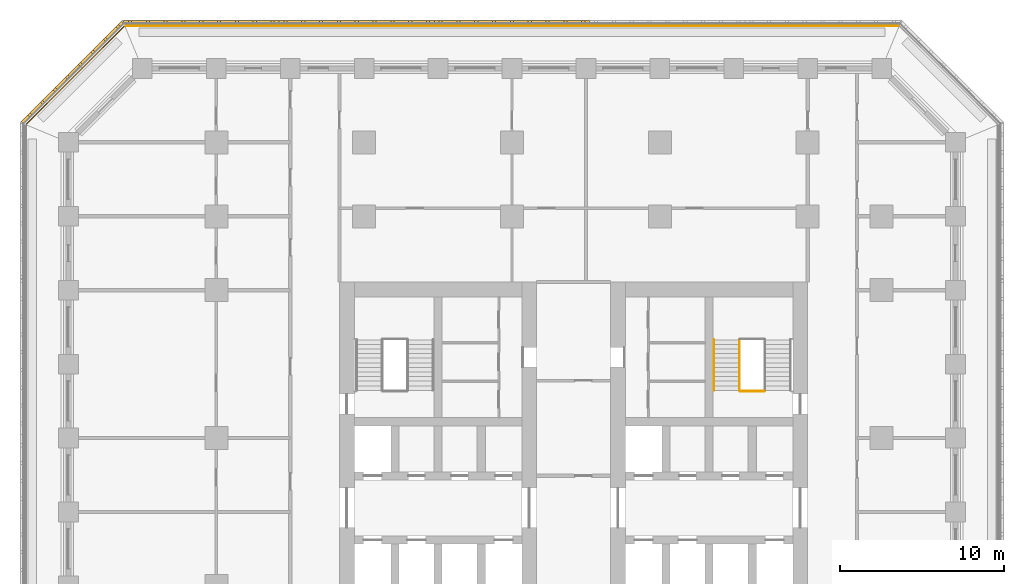
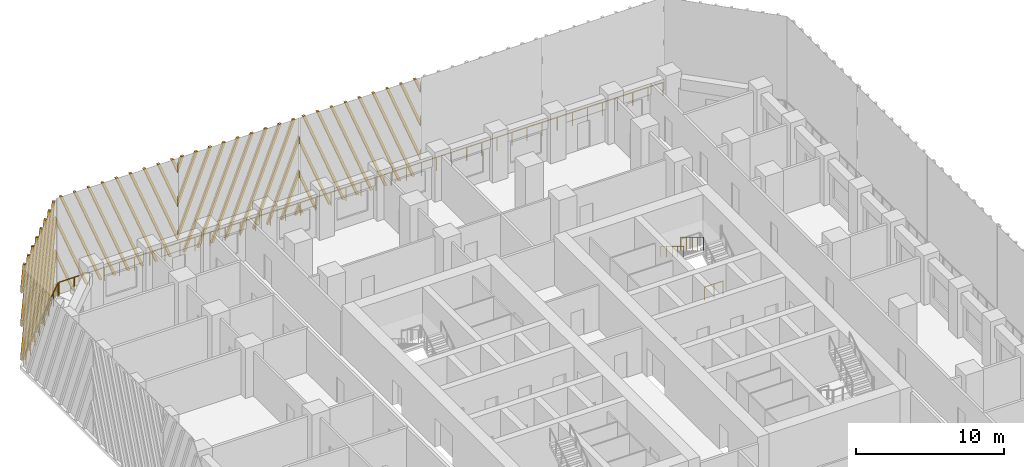
# One storey, part 16 of 19: 5 railings, 4 shading devices.
"""IFC4 building model written with IfcOpenShell, lengths in metres."""

from ifc_helpers import new_model, si_unit, direction, frame, origin, origin_2d, place, context, subcontext, project, spatial, polyline, circle, outline, extrude, source, transform, mapped, material, type_object, element, save


model = new_model("IFC4")

# Units and contexts
model_context = context("Model", 3, precision=1e-05, world=origin(), true_north=direction((0.0, 1.0)))
body_context = subcontext(model_context, "Body", "Model", "MODEL_VIEW")
ifc_project = project(units=[si_unit("LENGTHUNIT", "METRE"), si_unit("AREAUNIT", "SQUARE_METRE"), si_unit("VOLUMEUNIT", "CUBIC_METRE"), si_unit("PLANEANGLEUNIT", "RADIAN"), si_unit("MASSUNIT", "GRAM", prefix="KILO")], contexts=[model_context])

# Site, building, storey
site_placement = place(None, origin())
site = spatial("IfcSite", under=ifc_project, at=site_placement, CompositionType="ELEMENT")
building_placement = place(site_placement, origin())
building = spatial("IfcBuilding", under=site, at=building_placement, Name="Corbel Stack Research Tower", CompositionType="ELEMENT")
storey_placement = place(building_placement, frame((0.0, 0.0, 133.10009765625)))
storey = spatial("IfcBuildingStorey", under=building, at=storey_placement, Name="L30", CompositionType="ELEMENT", Elevation=133.10009765625)

# Railings
ifc_material_1 = material(Name="Steel S355", Category="steel")
railing_type_1 = type_object("IfcRailingType", Name="Stair guard 1100", PredefinedType="GUARDRAIL", material=ifc_material_1)
railing_1_placement = place(storey_placement, frame((13.85009765625, 14.97998046875, 2.220703125)))
element("IfcRailing", 1, at=railing_1_placement, inside=storey, type_object=railing_type_1, Name="L30 ST-E2 stair guard 4", PredefinedType="GUARDRAIL", context=body_context, shape_type="SweptSolid", body=[
    extrude(circle(Radius=0.02392578125, at=origin_2d()), frame((0.0, 0.0, 1.076171875), z_axis=(0.0, -0.853666305674, 0.52082035152), x_axis=(1.0, 0.0, 0.0)), (0.0, 0.0, 1.0), 3.608154296875),
    extrude(circle(Radius=0.02099609375, at=origin_2d()), origin(), (0.0, 0.0, 1.0), 1.052001953125),
    extrude(circle(Radius=0.02099609375, at=origin_2d()), frame((0.0, -0.77001953125, 0.4697265625)), (0.0, 0.0, 1.0), 1.052001953125),
    extrude(circle(Radius=0.02099609375, at=origin_2d()), frame((0.0, -1.5400390625, 0.939453125)), (0.0, 0.0, 1.0), 1.052001953125),
    extrude(circle(Radius=0.02099609375, at=origin_2d()), frame((0.0, -2.31005859375, 1.409423828125)), (0.0, 0.0, 1.0), 1.052001953125),
    extrude(circle(Radius=0.02099609375, at=origin_2d()), frame((0.0, -3.080078125, 1.879150390625)), (0.0, 0.0, 1.0), 1.052001953125),
])
railing_2_placement = place(storey_placement, frame((15.35009765625, 11.85009765625, 0.0)))
element("IfcRailing", 2, at=railing_2_placement, inside=storey, type_object=railing_type_1, Name="L30 ST-E2 stair guard 5", PredefinedType="GUARDRAIL", context=body_context, shape_type="SweptSolid", body=[
    extrude(circle(Radius=0.02392578125, at=origin_2d()), frame((0.0, 0.0, 1.076171875), z_axis=(-1.0, 0.0, 0.0), x_axis=(0.0, -1.0, 0.0)), (0.0, 0.0, 1.0), 1.4501953125),
    extrude(circle(Radius=0.02099609375, at=origin_2d()), origin(), (0.0, 0.0, 1.0), 1.052001953125),
    extrude(circle(Radius=0.02099609375, at=origin_2d()), frame((-0.72509765625, 0.0, 0.0)), (0.0, 0.0, 1.0), 1.052001953125),
    extrude(circle(Radius=0.02099609375, at=origin_2d()), frame((-1.4501953125, 0.0, 0.0)), (0.0, 0.0, 1.0), 1.052001953125),
])
ifc_material_2 = material(Name="Steel S355", Category="steel")
railing_type_2 = type_object("IfcRailingType", Name="Stair handrail 900", PredefinedType="HANDRAIL", material=ifc_material_2)
railing_3_placement = place(storey_placement, frame((12.300048828125, 14.97998046875, 2.220703125)))
element("IfcRailing", 3, at=railing_3_placement, inside=storey, type_object=railing_type_2, Name="L30 ST-E2 stair handrail 2", PredefinedType="HANDRAIL", context=body_context, shape_type="SweptSolid", body=[
    extrude(circle(Radius=0.02392578125, at=origin_2d()), frame((0.0, 0.0, 0.8759765625), z_axis=(0.0, -0.853666305674, 0.52082035152), x_axis=(1.0, 0.0, 0.0)), (0.0, 0.0, 1.0), 3.608154296875),
    extrude(circle(Radius=0.02099609375, at=origin_2d()), origin(), (0.0, 0.0, 1.0), 0.851806640625),
    extrude(circle(Radius=0.02099609375, at=origin_2d()), frame((0.0, -0.77001953125, 0.4697265625)), (0.0, 0.0, 1.0), 0.851806640625),
    extrude(circle(Radius=0.02099609375, at=origin_2d()), frame((0.0, -1.5400390625, 0.939453125)), (0.0, 0.0, 1.0), 0.851806640625),
    extrude(circle(Radius=0.02099609375, at=origin_2d()), frame((0.0, -2.31005859375, 1.409423828125)), (0.0, 0.0, 1.0), 0.851806640625),
    extrude(circle(Radius=0.02099609375, at=origin_2d()), frame((0.0, -3.080078125, 1.879150390625)), (0.0, 0.0, 1.0), 0.851806640625),
])
ifc_material_3 = material(Name="Powder-coated steel guard", Category="steel")
railing_type_3 = type_object("IfcRailingType", Name="Steel and glass guard 1100", PredefinedType="GUARDRAIL", material=ifc_material_3)
railing_4_placement = place(storey_placement, frame((23.50537109375, 34.10009765625, 0.0)))
element("IfcRailing", 4, at=railing_4_placement, inside=storey, type_object=railing_type_3, Name="Loggia guard L30 N", PredefinedType="GUARDRAIL", context=body_context, shape_type="SweptSolid", body=[
    extrude(circle(Radius=0.02392578125, at=origin_2d()), frame((0.0, 0.0, 1.076171875), z_axis=(-1.0, 0.0, 0.0), x_axis=(0.0, -1.0, 0.0)), (0.0, 0.0, 1.0), 47.0107421875),
    extrude(circle(Radius=0.02099609375, at=origin_2d()), origin(), (0.0, 0.0, 1.0), 1.052001953125),
    extrude(circle(Radius=0.02099609375, at=origin_2d()), frame((-1.17529296875, 0.0, 0.0)), (0.0, 0.0, 1.0), 1.052001953125),
    extrude(circle(Radius=0.02099609375, at=origin_2d()), frame((-2.3505859375, 0.0, 0.0)), (0.0, 0.0, 1.0), 1.052001953125),
    extrude(circle(Radius=0.02099609375, at=origin_2d()), frame((-3.52587890625, 0.0, 0.0)), (0.0, 0.0, 1.0), 1.052001953125),
    extrude(circle(Radius=0.02099609375, at=origin_2d()), frame((-4.701171875, 0.0, 0.0)), (0.0, 0.0, 1.0), 1.052001953125),
    extrude(circle(Radius=0.02099609375, at=origin_2d()), frame((-5.87646484375, 0.0, 0.0)), (0.0, 0.0, 1.0), 1.052001953125),
    extrude(circle(Radius=0.02099609375, at=origin_2d()), frame((-7.051513671875, 0.0, 0.0)), (0.0, 0.0, 1.0), 1.052001953125),
    extrude(circle(Radius=0.02099609375, at=origin_2d()), frame((-8.226806640625, 0.0, 0.0)), (0.0, 0.0, 1.0), 1.052001953125),
    extrude(circle(Radius=0.02099609375, at=origin_2d()), frame((-9.402099609375, 0.0, 0.0)), (0.0, 0.0, 1.0), 1.052001953125),
    extrude(circle(Radius=0.02099609375, at=origin_2d()), frame((-10.577392578125, 0.0, 0.0)), (0.0, 0.0, 1.0), 1.052001953125),
    extrude(circle(Radius=0.02099609375, at=origin_2d()), frame((-11.752685546875, 0.0, 0.0)), (0.0, 0.0, 1.0), 1.052001953125),
    extrude(circle(Radius=0.02099609375, at=origin_2d()), frame((-12.927978515625, 0.0, 0.0)), (0.0, 0.0, 1.0), 1.052001953125),
    extrude(circle(Radius=0.02099609375, at=origin_2d()), frame((-14.103271484375, 0.0, 0.0)), (0.0, 0.0, 1.0), 1.052001953125),
    extrude(circle(Radius=0.02099609375, at=origin_2d()), frame((-15.278564453125, 0.0, 0.0)), (0.0, 0.0, 1.0), 1.052001953125),
    extrude(circle(Radius=0.02099609375, at=origin_2d()), frame((-16.453857421875, 0.0, 0.0)), (0.0, 0.0, 1.0), 1.052001953125),
    extrude(circle(Radius=0.02099609375, at=origin_2d()), frame((-17.62890625, 0.0, 0.0)), (0.0, 0.0, 1.0), 1.052001953125),
    extrude(circle(Radius=0.02099609375, at=origin_2d()), frame((-18.80419921875, 0.0, 0.0)), (0.0, 0.0, 1.0), 1.052001953125),
    extrude(circle(Radius=0.02099609375, at=origin_2d()), frame((-19.9794921875, 0.0, 0.0)), (0.0, 0.0, 1.0), 1.052001953125),
    extrude(circle(Radius=0.02099609375, at=origin_2d()), frame((-21.15478515625, 0.0, 0.0)), (0.0, 0.0, 1.0), 1.052001953125),
    extrude(circle(Radius=0.02099609375, at=origin_2d()), frame((-22.330078125, 0.0, 0.0)), (0.0, 0.0, 1.0), 1.052001953125),
    extrude(circle(Radius=0.02099609375, at=origin_2d()), frame((-23.50537109375, 0.0, 0.0)), (0.0, 0.0, 1.0), 1.052001953125),
    extrude(circle(Radius=0.02099609375, at=origin_2d()), frame((-24.6806640625, 0.0, 0.0)), (0.0, 0.0, 1.0), 1.052001953125),
    extrude(circle(Radius=0.02099609375, at=origin_2d()), frame((-25.85595703125, 0.0, 0.0)), (0.0, 0.0, 1.0), 1.052001953125),
    extrude(circle(Radius=0.02099609375, at=origin_2d()), frame((-27.03125, 0.0, 0.0)), (0.0, 0.0, 1.0), 1.052001953125),
    extrude(circle(Radius=0.02099609375, at=origin_2d()), frame((-28.20654296875, 0.0, 0.0)), (0.0, 0.0, 1.0), 1.052001953125),
    extrude(circle(Radius=0.02099609375, at=origin_2d()), frame((-29.3818359375, 0.0, 0.0)), (0.0, 0.0, 1.0), 1.052001953125),
    extrude(circle(Radius=0.02099609375, at=origin_2d()), frame((-30.556884765625, 0.0, 0.0)), (0.0, 0.0, 1.0), 1.052001953125),
    extrude(circle(Radius=0.02099609375, at=origin_2d()), frame((-31.732177734375, 0.0, 0.0)), (0.0, 0.0, 1.0), 1.052001953125),
    extrude(circle(Radius=0.02099609375, at=origin_2d()), frame((-32.907470703125, 0.0, 0.0)), (0.0, 0.0, 1.0), 1.052001953125),
    extrude(circle(Radius=0.02099609375, at=origin_2d()), frame((-34.082763671875, 0.0, 0.0)), (0.0, 0.0, 1.0), 1.052001953125),
    extrude(circle(Radius=0.02099609375, at=origin_2d()), frame((-35.258056640625, 0.0, 0.0)), (0.0, 0.0, 1.0), 1.052001953125),
    extrude(circle(Radius=0.02099609375, at=origin_2d()), frame((-36.433349609375, 0.0, 0.0)), (0.0, 0.0, 1.0), 1.052001953125),
    extrude(circle(Radius=0.02099609375, at=origin_2d()), frame((-37.608642578125, 0.0, 0.0)), (0.0, 0.0, 1.0), 1.052001953125),
    extrude(circle(Radius=0.02099609375, at=origin_2d()), frame((-38.783935546875, 0.0, 0.0)), (0.0, 0.0, 1.0), 1.052001953125),
    extrude(circle(Radius=0.02099609375, at=origin_2d()), frame((-39.959228515625, 0.0, 0.0)), (0.0, 0.0, 1.0), 1.052001953125),
    extrude(circle(Radius=0.02099609375, at=origin_2d()), frame((-41.13427734375, 0.0, 0.0)), (0.0, 0.0, 1.0), 1.052001953125),
    extrude(circle(Radius=0.02099609375, at=origin_2d()), frame((-42.3095703125, 0.0, 0.0)), (0.0, 0.0, 1.0), 1.052001953125),
    extrude(circle(Radius=0.02099609375, at=origin_2d()), frame((-43.48486328125, 0.0, 0.0)), (0.0, 0.0, 1.0), 1.052001953125),
    extrude(circle(Radius=0.02099609375, at=origin_2d()), frame((-44.66015625, 0.0, 0.0)), (0.0, 0.0, 1.0), 1.052001953125),
    extrude(circle(Radius=0.02099609375, at=origin_2d()), frame((-45.83544921875, 0.0, 0.0)), (0.0, 0.0, 1.0), 1.052001953125),
    extrude(circle(Radius=0.02099609375, at=origin_2d()), frame((-47.0107421875, 0.0, 0.0)), (0.0, 0.0, 1.0), 1.052001953125),
])
railing_5_placement = place(storey_placement, frame((-23.627685546875, 34.04931640625, 0.0)))
element("IfcRailing", 5, at=railing_5_placement, inside=storey, type_object=railing_type_3, Name="Loggia guard L30 NW", PredefinedType="GUARDRAIL", context=body_context, shape_type="SweptSolid", body=[
    extrude(circle(Radius=0.02392578125, at=origin_2d()), frame((0.0, 0.0, 1.076171875), z_axis=(-0.707106781187, -0.707106781187, 0.0), x_axis=(0.707106781187, -0.707106781187, 0.0)), (0.0, 0.0, 1.0), 8.37451171875),
    extrude(circle(Radius=0.02099609375, at=origin_2d()), origin(), (0.0, 0.0, 1.0), 1.052001953125),
    extrude(circle(Radius=0.02099609375, at=origin_2d()), frame((-0.845947265625, -0.845947265625, 0.0)), (0.0, 0.0, 1.0), 1.052001953125),
    extrude(circle(Radius=0.02099609375, at=origin_2d()), frame((-1.69189453125, -1.69189453125, 0.0)), (0.0, 0.0, 1.0), 1.052001953125),
    extrude(circle(Radius=0.02099609375, at=origin_2d()), frame((-2.537841796875, -2.537841796875, 0.0)), (0.0, 0.0, 1.0), 1.052001953125),
    extrude(circle(Radius=0.02099609375, at=origin_2d()), frame((-3.3837890625, -3.3837890625, 0.0)), (0.0, 0.0, 1.0), 1.052001953125),
    extrude(circle(Radius=0.02099609375, at=origin_2d()), frame((-4.229736328125, -4.229736328125, 0.0)), (0.0, 0.0, 1.0), 1.052001953125),
    extrude(circle(Radius=0.02099609375, at=origin_2d()), frame((-5.07568359375, -5.07568359375, 0.0)), (0.0, 0.0, 1.0), 1.052001953125),
    extrude(circle(Radius=0.02099609375, at=origin_2d()), frame((-5.921630859375, -5.921630859375, 0.0)), (0.0, 0.0, 1.0), 1.052001953125),
])

# Shading devices
ifc_material_4 = material(Name="Precast terracotta", Category="masonry")
shading_device_type = type_object("IfcShadingDeviceType", Name="Terracotta screen panel", PredefinedType="USERDEFINED", material=ifc_material_4)
shared_shape_1 = source(origin(), body_context, "Body", "SweptSolid", [
    extrude(outline(polyline([(0.48828125, 7.949951171875), (0.298095703125, 7.949951171875), (0.0, 7.1865234375), (0.0, 6.699951171875), (0.48828125, 7.949951171875)])), frame((0.0, 0.0, 0.0), z_axis=(0.0, -1.0, 0.0), x_axis=(1.0, 0.0, 0.0)), (0.0, 0.0, 1.0), 0.179931640625),
    extrude(outline(polyline([(1.572998046875, 7.949951171875), (1.3828125, 7.949951171875), (0.0, 4.4091796875), (0.0, 3.922607421875), (1.572998046875, 7.949951171875)])), frame((0.0, 0.0, 0.0), z_axis=(0.0, -1.0, 0.0), x_axis=(1.0, 0.0, 0.0)), (0.0, 0.0, 1.0), 0.179931640625),
    extrude(outline(polyline([(2.657470703125, 7.949951171875), (2.467529296875, 7.949951171875), (0.0, 1.6318359375), (0.0, 1.1455078125), (2.657470703125, 7.949951171875)])), frame((0.0, 0.0, 0.0), z_axis=(0.0, -1.0, 0.0), x_axis=(1.0, 0.0, 0.0)), (0.0, 0.0, 1.0), 0.179931640625),
    extrude(outline(polyline([(0.63720703125, 0.0), (3.7421875, 7.949951171875), (3.55224609375, 7.949951171875), (0.447265625, 0.0), (0.63720703125, 0.0)])), frame((0.0, 0.0, 0.0), z_axis=(0.0, -1.0, 0.0), x_axis=(1.0, 0.0, 0.0)), (0.0, 0.0, 1.0), 0.179931640625),
    extrude(outline(polyline([(1.721923828125, 0.0), (4.826904296875, 7.949951171875), (4.636962890625, 7.949951171875), (1.531982421875, 0.0), (1.721923828125, 0.0)])), frame((0.0, 0.0, 0.0), z_axis=(0.0, -1.0, 0.0), x_axis=(1.0, 0.0, 0.0)), (0.0, 0.0, 1.0), 0.179931640625),
    extrude(outline(polyline([(2.806640625, 0.0), (5.91162109375, 7.949951171875), (5.721435546875, 7.949951171875), (2.61669921875, 0.0), (2.806640625, 0.0)])), frame((0.0, 0.0, 0.0), z_axis=(0.0, -1.0, 0.0), x_axis=(1.0, 0.0, 0.0)), (0.0, 0.0, 1.0), 0.179931640625),
    extrude(outline(polyline([(3.891357421875, 0.0), (6.99609375, 7.949951171875), (6.80615234375, 7.949951171875), (3.701416015625, 0.0), (3.891357421875, 0.0)])), frame((0.0, 0.0, 0.0), z_axis=(0.0, -1.0, 0.0), x_axis=(1.0, 0.0, 0.0)), (0.0, 0.0, 1.0), 0.179931640625),
    extrude(outline(polyline([(4.97607421875, 0.0), (8.080810546875, 7.949951171875), (7.890869140625, 7.949951171875), (4.785888671875, 0.0), (4.97607421875, 0.0)])), frame((0.0, 0.0, 0.0), z_axis=(0.0, -1.0, 0.0), x_axis=(1.0, 0.0, 0.0)), (0.0, 0.0, 1.0), 0.179931640625),
    extrude(outline(polyline([(6.060791015625, 0.0), (9.16552734375, 7.949951171875), (8.9755859375, 7.949951171875), (5.87060546875, 0.0), (6.060791015625, 0.0)])), frame((0.0, 0.0, 0.0), z_axis=(0.0, -1.0, 0.0), x_axis=(1.0, 0.0, 0.0)), (0.0, 0.0, 1.0), 0.179931640625),
    extrude(outline(polyline([(7.145263671875, 0.0), (9.45556640625, 5.91552734375), (9.45556640625, 6.402099609375), (6.955322265625, 0.0), (7.145263671875, 0.0)])), frame((0.0, 0.0, 0.0), z_axis=(0.0, -1.0, 0.0), x_axis=(1.0, 0.0, 0.0)), (0.0, 0.0, 1.0), 0.179931640625),
    extrude(outline(polyline([(8.22998046875, 0.0), (9.45556640625, 3.13818359375), (9.45556640625, 3.624755859375), (8.0400390625, 0.0), (8.22998046875, 0.0)])), frame((0.0, 0.0, 0.0), z_axis=(0.0, -1.0, 0.0), x_axis=(1.0, 0.0, 0.0)), (0.0, 0.0, 1.0), 0.179931640625),
    extrude(outline(polyline([(9.314697265625, 0.0), (9.45556640625, 0.361083984375), (9.45556640625, 0.847412109375), (9.124755859375, 0.0), (9.314697265625, 0.0)])), frame((0.0, 0.0, 0.0), z_axis=(0.0, -1.0, 0.0), x_axis=(1.0, 0.0, 0.0)), (0.0, 0.0, 1.0), 0.179931640625),
])
for number, where, z_axis, x_axis, name in (
    (6, (4.727783203125, 34.25, 0.0), (0.0, 0.0, 1.0), (-1.0, 0.0, 0.0), "Terracotta screen L30 N3"),
    (7, (-14.18359375, 34.25, 0.0), (0.0, 0.0, 1.0), (-1.0, 0.0, 0.0), "Terracotta screen L30 N5"),
):
    element("IfcShadingDevice", number, at=place(storey_placement, frame(where, z_axis=z_axis, x_axis=x_axis)), inside=storey, type_object=shading_device_type, Name=name, ObjectType="SCREEN", PredefinedType="USERDEFINED", context=body_context, shape_type="MappedRepresentation", body=[
        mapped(shared_shape_1, transform((0.0, 0.0, 0.0))),
    ])
shared_shape_2 = source(origin(), body_context, "Body", "SweptSolid", [
    extrude(outline(polyline([(0.3310546875, 0.0), (0.0, 0.847412109375), (0.0, 0.361083984375), (0.14111328125, 0.0), (0.3310546875, 0.0)])), frame((0.0, 0.0, 0.0), z_axis=(0.0, -1.0, 0.0), x_axis=(1.0, 0.0, 0.0)), (0.0, 0.0, 1.0), 0.179931640625),
    extrude(outline(polyline([(1.41552734375, 0.0), (0.0, 3.624755859375), (0.0, 3.13818359375), (1.2255859375, 0.0), (1.41552734375, 0.0)])), frame((0.0, 0.0, 0.0), z_axis=(0.0, -1.0, 0.0), x_axis=(1.0, 0.0, 0.0)), (0.0, 0.0, 1.0), 0.179931640625),
    extrude(outline(polyline([(2.500244140625, 0.0), (0.0, 6.402099609375), (0.0, 5.91552734375), (2.310302734375, 0.0), (2.500244140625, 0.0)])), frame((0.0, 0.0, 0.0), z_axis=(0.0, -1.0, 0.0), x_axis=(1.0, 0.0, 0.0)), (0.0, 0.0, 1.0), 0.179931640625),
    extrude(outline(polyline([(3.5849609375, 0.0), (0.47998046875, 7.949951171875), (0.2900390625, 7.949951171875), (3.39501953125, 0.0), (3.5849609375, 0.0)])), frame((0.0, 0.0, 0.0), z_axis=(0.0, -1.0, 0.0), x_axis=(1.0, 0.0, 0.0)), (0.0, 0.0, 1.0), 0.179931640625),
    extrude(outline(polyline([(4.669677734375, 0.0), (1.564697265625, 7.949951171875), (1.374755859375, 7.949951171875), (4.4794921875, 0.0), (4.669677734375, 0.0)])), frame((0.0, 0.0, 0.0), z_axis=(0.0, -1.0, 0.0), x_axis=(1.0, 0.0, 0.0)), (0.0, 0.0, 1.0), 0.179931640625),
    extrude(outline(polyline([(5.75439453125, 0.0), (2.6494140625, 7.949951171875), (2.45947265625, 7.949951171875), (5.564208984375, 0.0), (5.75439453125, 0.0)])), frame((0.0, 0.0, 0.0), z_axis=(0.0, -1.0, 0.0), x_axis=(1.0, 0.0, 0.0)), (0.0, 0.0, 1.0), 0.179931640625),
    extrude(outline(polyline([(6.839111328125, 0.0), (3.734130859375, 7.949951171875), (3.544189453125, 7.949951171875), (6.64892578125, 0.0), (6.839111328125, 0.0)])), frame((0.0, 0.0, 0.0), z_axis=(0.0, -1.0, 0.0), x_axis=(1.0, 0.0, 0.0)), (0.0, 0.0, 1.0), 0.179931640625),
    extrude(outline(polyline([(7.923583984375, 0.0), (4.81884765625, 7.949951171875), (4.62890625, 7.949951171875), (7.733642578125, 0.0), (7.923583984375, 0.0)])), frame((0.0, 0.0, 0.0), z_axis=(0.0, -1.0, 0.0), x_axis=(1.0, 0.0, 0.0)), (0.0, 0.0, 1.0), 0.179931640625),
    extrude(outline(polyline([(9.00830078125, 0.0), (5.903564453125, 7.949951171875), (5.71337890625, 7.949951171875), (8.818359375, 0.0), (9.00830078125, 0.0)])), frame((0.0, 0.0, 0.0), z_axis=(0.0, -1.0, 0.0), x_axis=(1.0, 0.0, 0.0)), (0.0, 0.0, 1.0), 0.179931640625),
    extrude(outline(polyline([(6.988037109375, 7.949951171875), (6.798095703125, 7.949951171875), (9.45556640625, 1.1455078125), (9.45556640625, 1.6318359375), (6.988037109375, 7.949951171875)])), frame((0.0, 0.0, 0.0), z_axis=(0.0, -1.0, 0.0), x_axis=(1.0, 0.0, 0.0)), (0.0, 0.0, 1.0), 0.179931640625),
    extrude(outline(polyline([(8.07275390625, 7.949951171875), (7.8828125, 7.949951171875), (9.45556640625, 3.922607421875), (9.45556640625, 4.4091796875), (8.07275390625, 7.949951171875)])), frame((0.0, 0.0, 0.0), z_axis=(0.0, -1.0, 0.0), x_axis=(1.0, 0.0, 0.0)), (0.0, 0.0, 1.0), 0.179931640625),
    extrude(outline(polyline([(9.157470703125, 7.949951171875), (8.96728515625, 7.949951171875), (9.45556640625, 6.699951171875), (9.45556640625, 7.1865234375), (9.157470703125, 7.949951171875)])), frame((0.0, 0.0, 0.0), z_axis=(0.0, -1.0, 0.0), x_axis=(1.0, 0.0, 0.0)), (0.0, 0.0, 1.0), 0.179931640625),
])
shading_device_1_placement = place(storey_placement, frame((-4.727783203125, 34.25, 0.0), z_axis=(0.0, 0.0, 1.0), x_axis=(-1.0, 0.0, 0.0)))
element("IfcShadingDevice", 8, at=shading_device_1_placement, inside=storey, type_object=shading_device_type, Name="Terracotta screen L30 N4", ObjectType="SCREEN", PredefinedType="USERDEFINED", context=body_context, shape_type="MappedRepresentation", body=[
    mapped(shared_shape_2, transform((0.0, 0.0, 0.0))),
])
shared_shape_3 = source(origin(), body_context, "Body", "SweptSolid", [
    extrude(outline(polyline([(0.3310546875, 0.0), (0.0, 0.847412109375), (0.0, 0.361083984375), (0.14111328125, 0.0), (0.3310546875, 0.0)])), frame((0.0, 0.0, 0.0), z_axis=(0.0, -1.0, 0.0), x_axis=(1.0, 0.0, 0.0)), (0.0, 0.0, 1.0), 0.179931640625),
    extrude(outline(polyline([(1.41552734375, 0.0), (0.0, 3.624755859375), (0.0, 3.13818359375), (1.2255859375, 0.0), (1.41552734375, 0.0)])), frame((0.0, 0.0, 0.0), z_axis=(0.0, -1.0, 0.0), x_axis=(1.0, 0.0, 0.0)), (0.0, 0.0, 1.0), 0.179931640625),
    extrude(outline(polyline([(2.500244140625, 0.0), (0.0, 6.402099609375), (0.0, 5.91552734375), (2.310302734375, 0.0), (2.500244140625, 0.0)])), frame((0.0, 0.0, 0.0), z_axis=(0.0, -1.0, 0.0), x_axis=(1.0, 0.0, 0.0)), (0.0, 0.0, 1.0), 0.179931640625),
    extrude(outline(polyline([(3.5849609375, 0.0), (0.47998046875, 7.949951171875), (0.2900390625, 7.949951171875), (3.39501953125, 0.0), (3.5849609375, 0.0)])), frame((0.0, 0.0, 0.0), z_axis=(0.0, -1.0, 0.0), x_axis=(1.0, 0.0, 0.0)), (0.0, 0.0, 1.0), 0.179931640625),
    extrude(outline(polyline([(4.669677734375, 0.0), (1.564697265625, 7.949951171875), (1.374755859375, 7.949951171875), (4.4794921875, 0.0), (4.669677734375, 0.0)])), frame((0.0, 0.0, 0.0), z_axis=(0.0, -1.0, 0.0), x_axis=(1.0, 0.0, 0.0)), (0.0, 0.0, 1.0), 0.179931640625),
    extrude(outline(polyline([(5.75439453125, 0.0), (2.6494140625, 7.949951171875), (2.45947265625, 7.949951171875), (5.564208984375, 0.0), (5.75439453125, 0.0)])), frame((0.0, 0.0, 0.0), z_axis=(0.0, -1.0, 0.0), x_axis=(1.0, 0.0, 0.0)), (0.0, 0.0, 1.0), 0.179931640625),
    extrude(outline(polyline([(6.839111328125, 0.0), (3.734130859375, 7.949951171875), (3.544189453125, 7.949951171875), (6.64892578125, 0.0), (6.839111328125, 0.0)])), frame((0.0, 0.0, 0.0), z_axis=(0.0, -1.0, 0.0), x_axis=(1.0, 0.0, 0.0)), (0.0, 0.0, 1.0), 0.179931640625),
    extrude(outline(polyline([(7.923583984375, 0.0), (4.81884765625, 7.949951171875), (4.62890625, 7.949951171875), (7.733642578125, 0.0), (7.923583984375, 0.0)])), frame((0.0, 0.0, 0.0), z_axis=(0.0, -1.0, 0.0), x_axis=(1.0, 0.0, 0.0)), (0.0, 0.0, 1.0), 0.179931640625),
    extrude(outline(polyline([(5.903564453125, 7.949951171875), (5.71337890625, 7.949951171875), (8.64208984375, 0.451171875), (8.64208984375, 0.9375), (5.903564453125, 7.949951171875)])), frame((0.0, 0.0, 0.0), z_axis=(0.0, -1.0, 0.0), x_axis=(1.0, 0.0, 0.0)), (0.0, 0.0, 1.0), 0.179931640625),
    extrude(outline(polyline([(6.988037109375, 7.949951171875), (6.798095703125, 7.949951171875), (8.64208984375, 3.228515625), (8.64208984375, 3.71484375), (6.988037109375, 7.949951171875)])), frame((0.0, 0.0, 0.0), z_axis=(0.0, -1.0, 0.0), x_axis=(1.0, 0.0, 0.0)), (0.0, 0.0, 1.0), 0.179931640625),
    extrude(outline(polyline([(8.07275390625, 7.949951171875), (7.8828125, 7.949951171875), (8.64208984375, 6.005615234375), (8.64208984375, 6.4921875), (8.07275390625, 7.949951171875)])), frame((0.0, 0.0, 0.0), z_axis=(0.0, -1.0, 0.0), x_axis=(1.0, 0.0, 0.0)), (0.0, 0.0, 1.0), 0.179931640625),
])
shading_device_2_placement = place(storey_placement, frame((-23.63916015625, 34.25, 0.0), z_axis=(0.0, 0.0, 1.0), x_axis=(-0.707106781187, -0.707106781187, 0.0)))
element("IfcShadingDevice", 9, at=shading_device_2_placement, inside=storey, type_object=shading_device_type, Name="Terracotta screen L30 NW1", ObjectType="SCREEN", PredefinedType="USERDEFINED", context=body_context, shape_type="MappedRepresentation", body=[
    mapped(shared_shape_3, transform((0.0, 0.0, 0.0))),
])

save(model, "model.ifc")
